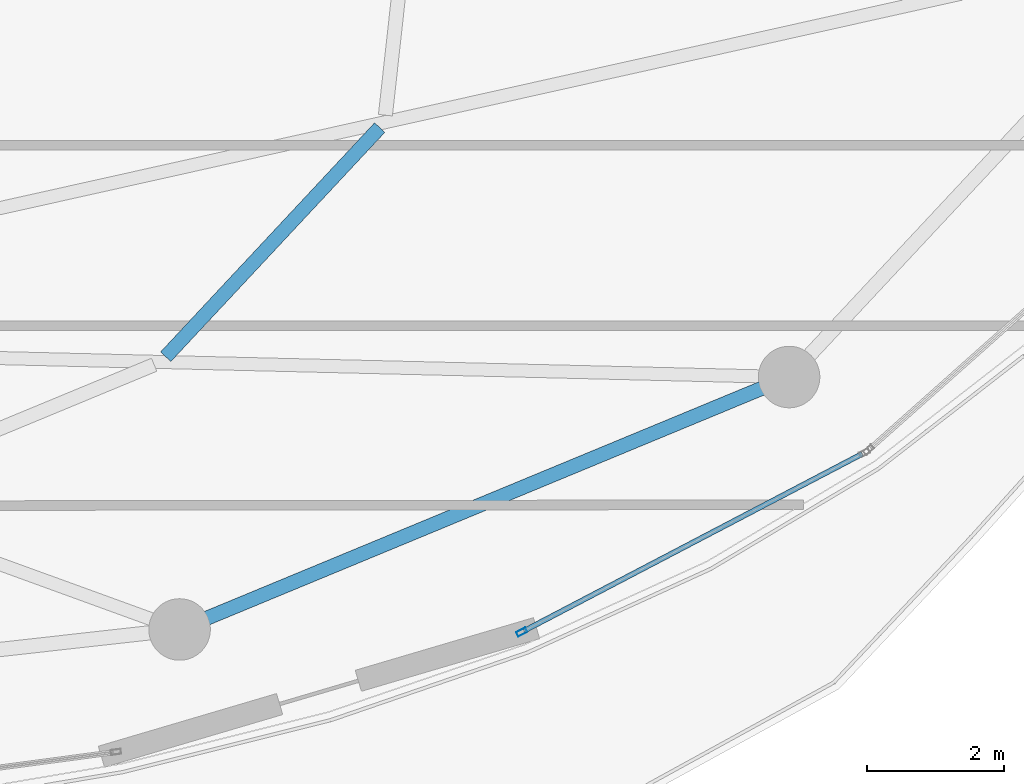
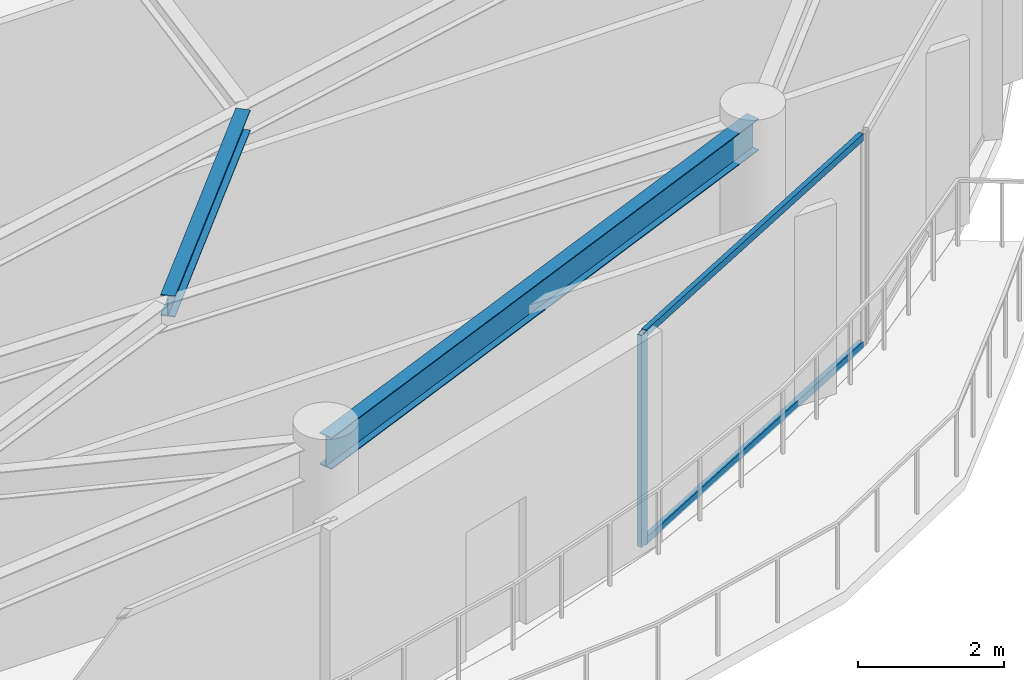
# One storey, part 13 of 29: 3 members, 2 beams, 1 element without a shape of its own.
"""IFC4 building model written with IfcOpenShell, lengths in metres."""

import ifcopenshell
import ifcopenshell.guid

model = None  # the IFC model being written
_history = None  # IfcOwnerHistory: only IFC2X3 demands one
_inside = {}  # id of a spatial element -> (the spatial element, [elements in it])
_under = {}  # id of a project, library or spatial element -> (it, [spatial elements below it])
_declared = {}  # id of a project -> (the project, [libraries it declares])
_typed = {}  # id of a type object -> (the type object, [elements of that type])
_made_of = {}  # id of a material, layer set ... -> (it, [elements and type objects made of it])


def new_model(schema):
    """Start an empty IFC model of exactly this schema.

    Asked for "IFC4X3", IfcOpenShell would pick the latest addendum, in which some entities
    have other attributes; the version numbers below select the first issue.
    IFC2X3 requires an IfcOwnerHistory on every rooted entity: one is made here for all.
    """
    global model, _history
    if schema == "IFC4X3":
        model = ifcopenshell.file(schema_version=(4, 3, 0, 0))
    else:
        model = ifcopenshell.file(schema=schema)
    _inside.clear()
    _under.clear()
    _declared.clear()
    _typed.clear()
    _made_of.clear()
    _history = None
    if model.schema == "IFC2X3":
        org = make("IfcOrganization", Name="unknown")
        user = make(
            "IfcPersonAndOrganization",
            ThePerson=make("IfcPerson", FamilyName="unknown"),
            TheOrganization=org,
        )
        app = make(
            "IfcApplication",
            ApplicationDeveloper=org,
            Version="unknown",
            ApplicationFullName="unknown",
            ApplicationIdentifier="unknown",
        )
        _history = make(
            "IfcOwnerHistory",
            OwningUser=user,
            OwningApplication=app,
            ChangeAction="ADDED",
            CreationDate=0,
        )
    return model


def make(cls, **values):
    """One entity of the class cls with the attributes given. An attribute that is None is left unset."""
    return model.create_entity(
        cls, **{name: value for name, value in values.items() if value is not None}
    )


def rooted(cls, **values):
    """An entity with a GlobalId (a new one), such as an element, a storey or a relation."""
    return make(cls, GlobalId=ifcopenshell.guid.new(), OwnerHistory=_history, **values)


def si_unit(unit_type, name, prefix=None):
    """IfcSIUnit, for example si_unit("LENGTHUNIT", "METRE", prefix="MILLI")."""
    return make("IfcSIUnit", UnitType=unit_type, Prefix=prefix, Name=name)


def assignment(units):
    """IfcUnitAssignment: the units of a project."""
    return None if units is None else make("IfcUnitAssignment", Units=units)


def point(xyz):
    """IfcCartesianPoint."""
    return None if xyz is None else make("IfcCartesianPoint", Coordinates=xyz)


def direction(xyz):
    """IfcDirection."""
    return None if xyz is None else make("IfcDirection", DirectionRatios=xyz)


def frame(location, z_axis=None, x_axis=None):
    """IfcAxis2Placement3D, a coordinate frame: its origin and axes. An axis left out is left unset."""
    return make(
        "IfcAxis2Placement3D",
        Location=point(location),
        Axis=direction(z_axis),
        RefDirection=direction(x_axis),
    )


def frame_2d(location, x_axis=None):
    """IfcAxis2Placement2D, a coordinate frame in the plane: its origin and x axis."""
    return make(
        "IfcAxis2Placement2D", Location=point(location), RefDirection=direction(x_axis)
    )


def origin():
    """The frame at (0, 0, 0) with its axes left unset."""
    return frame((0.0, 0.0, 0.0))


def origin_2d():
    """The frame at (0, 0) in the plane with its x axis left unset."""
    return frame_2d((0.0, 0.0))


def place(relative_to, where):
    """IfcLocalPlacement: puts the frame where relative to a parent placement (None: the world)."""
    return make(
        "IfcLocalPlacement", PlacementRelTo=relative_to, RelativePlacement=where
    )


def context(
    kind, dimensions, precision=None, world=None, true_north=None, identifier=None
):
    """IfcGeometricRepresentationContext, for example the 3D "Model" context."""
    return make(
        "IfcGeometricRepresentationContext",
        ContextIdentifier=identifier,
        ContextType=kind,
        CoordinateSpaceDimension=dimensions,
        Precision=precision,
        WorldCoordinateSystem=world,
        TrueNorth=true_north,
    )


def subcontext(parent, identifier, kind, view, scale=None):
    """IfcGeometricRepresentationSubContext, for example "Body" below "Model"."""
    return make(
        "IfcGeometricRepresentationSubContext",
        ContextIdentifier=identifier,
        ContextType=kind,
        ParentContext=parent,
        TargetScale=scale,
        TargetView=view,
    )


def project(units=None, contexts=None):
    """IfcProject with its units and contexts."""
    return rooted(
        "IfcProject",
        Name="project",
        RepresentationContexts=contexts,
        UnitsInContext=assignment(units),
    )


def spatial(cls, under=None, at=None, **own):
    """A site, building, storey or space (cls), placed at a placement, below another one or the project."""
    s = rooted(cls, ObjectPlacement=at, **own)
    if under is not None:
        _under.setdefault(under.id(), (under, []))[1].append(s)
    return s


def profile(cls, at=None, kind="AREA", **sizes):
    """A parametric profile (cls). Its sizes go by their IFC names, for example OverallWidth=200.0."""
    return make(cls, ProfileType=kind, Position=at, **sizes)


def hollow_rectangle(**sizes):
    """IfcRectangleHollowProfileDef."""
    return profile("IfcRectangleHollowProfileDef", **sizes)


def i_section(**sizes):
    """IfcIShapeProfileDef."""
    return profile("IfcIShapeProfileDef", **sizes)


def extrude(swept, where, along, depth):
    """IfcExtrudedAreaSolid: the profile swept, set in the frame where, extruded along a direction by depth."""
    return make(
        "IfcExtrudedAreaSolid",
        SweptArea=swept,
        Position=where,
        ExtrudedDirection=direction(along),
        Depth=depth,
    )


def shape(context_of_items, identifier, shape_type, items):
    """IfcShapeRepresentation: the items that make up one representation, for example the "Body"."""
    return make(
        "IfcShapeRepresentation",
        ContextOfItems=context_of_items,
        RepresentationIdentifier=identifier,
        RepresentationType=shape_type,
        Items=items,
    )


def material(Name=None, Category=None):
    """IfcMaterial."""
    return make("IfcMaterial", Name=Name, Category=Category)


def layer(
    of_material, thickness, ventilated=None, Name=None, Category=None, Priority=None
):
    """IfcMaterialLayer: one layer of a wall or slab, of a material (None: an air gap)."""
    return make(
        "IfcMaterialLayer",
        Material=of_material,
        LayerThickness=thickness,
        IsVentilated=ventilated,
        Name=Name,
        Category=Category,
        Priority=Priority,
    )


def layer_set(layers, Name=None):
    """IfcMaterialLayerSet."""
    return make("IfcMaterialLayerSet", MaterialLayers=layers, LayerSetName=Name)


def material_profile(
    of_material, cross_section, Name=None, Category=None, Priority=None
):
    """IfcMaterialProfile: a cross section and its material."""
    return make(
        "IfcMaterialProfile",
        Name=Name,
        Material=of_material,
        Profile=cross_section,
        Priority=Priority,
        Category=Category,
    )


def profile_set(profiles, Name=None, composite=None):
    """IfcMaterialProfileSet."""
    return make(
        "IfcMaterialProfileSet",
        Name=Name,
        MaterialProfiles=profiles,
        CompositeProfile=composite,
    )


def made_of(thing, what):
    """Note that an element or type object is made of a material, layer set ...; save() writes the relation."""
    if what is not None:
        _made_of.setdefault(what.id(), (what, []))[1].append(thing)
    return thing


def type_object(cls, material=None, **own):
    """A type object (cls), such as IfcWallType, which elements share."""
    return made_of(rooted(cls, **own), material)


def element(
    cls,
    number,
    at=None,
    inside=None,
    cuts=None,
    type_object=None,
    material=None,
    context=None,
    identifier="Body",
    shape_type=None,
    held_by="IfcProductDefinitionShape",
    body=None,
    shapes=None,
    **own,
):
    """One element of the class cls, such as IfcWall. Its Tag is "e" and its number.

    at: its placement. inside: the storey or other place that contains it. cuts: it is an
    opening in that element (IfcRelVoidsElement). A single representation is given by context,
    identifier, shape_type and body (its items); several are given by shapes. held_by: the class
    of the entity that holds the representations. save() writes the other relations.
    """
    e = rooted(cls, Tag="e%d" % number, ObjectPlacement=at, **own)
    if body is not None:
        shapes = [shape(context, identifier, shape_type, body)]
    if shapes is not None:
        e.Representation = make(held_by, Representations=shapes)
    if inside is not None:
        _inside.setdefault(inside.id(), (inside, []))[1].append(e)
    if cuts is not None:
        rooted(
            "IfcRelVoidsElement", RelatingBuildingElement=cuts, RelatedOpeningElement=e
        )
    if type_object is not None:
        _typed.setdefault(type_object.id(), (type_object, []))[1].append(e)
    return made_of(e, material)


def aggregate(whole, parts):
    """IfcRelAggregates: a whole, such as a stair, and the parts it consists of."""
    return rooted("IfcRelAggregates", RelatingObject=whole, RelatedObjects=parts)


def save(model, path):
    """Write the relations noted so far, then the file.

    IfcRelAggregates (storeys below a building ...), IfcRelContainedInSpatialStructure (elements
    in a storey), IfcRelDefinesByType, IfcRelAssociatesMaterial and IfcRelDeclares: one each for
    every whole, place, type object, material and project.
    """
    for whole, parts in _under.values():
        aggregate(whole, parts)
    for where, things in _inside.values():
        rooted(
            "IfcRelContainedInSpatialStructure",
            RelatedElements=things,
            RelatingStructure=where,
        )
    for kind, things in _typed.values():
        rooted("IfcRelDefinesByType", RelatedObjects=things, RelatingType=kind)
    for what, things in _made_of.values():
        rooted("IfcRelAssociatesMaterial", RelatedObjects=things, RelatingMaterial=what)
    for by, libraries in _declared.values():
        rooted("IfcRelDeclares", RelatingContext=by, RelatedDefinitions=libraries)
    model.write(path)


model = new_model("IFC4")

# Units and contexts
model_context = context("Model", 3, precision=1e-05, world=origin(), true_north=direction((0.0, 1.0)))
body_context = subcontext(model_context, "Body", "Model", "MODEL_VIEW")
ifc_project = project(units=[si_unit("LENGTHUNIT", "METRE"), si_unit("AREAUNIT", "SQUARE_METRE"), si_unit("VOLUMEUNIT", "CUBIC_METRE"), si_unit("PLANEANGLEUNIT", "RADIAN"), si_unit("MASSUNIT", "GRAM", prefix="KILO")], contexts=[model_context])

# Site, building, storey
site_placement = place(None, origin())
site = spatial("IfcSite", under=ifc_project, at=site_placement, CompositionType="ELEMENT")
building_placement = place(site_placement, origin())
building = spatial("IfcBuilding", under=site, at=building_placement, Name="Kazevale Care Tower and Concert Hall", CompositionType="ELEMENT")
storey_placement = place(building_placement, frame((0.0, 0.0, 285.199951171875)))
storey = spatial("IfcBuildingStorey", under=building, at=storey_placement, Name="L75", CompositionType="ELEMENT", Elevation=285.199951171875)

# Curtain wall, members
ifc_material_1 = material(Name="Aluminium 6063-T6 and Low-E Glass", Category="aluminium")
ifc_layer = layer(ifc_material_1, 0.179931640625)
ifc_layer_set = layer_set([ifc_layer], Name="Aluminium 6063-T6 and Low-E Glass")
curtain_wall_type = type_object("IfcCurtainWallType", Name="Sheltered Concave Balcony Curtain Wall CW-5", PredefinedType="NOTDEFINED", material=ifc_layer_set)
curtain_wall_placement = place(storey_placement, origin())
curtain_wall = element("IfcCurtainWall", 1, at=curtain_wall_placement, inside=storey, type_object=curtain_wall_type, Name="cw:L75:f03", PredefinedType="NOTDEFINED")
ifc_material_2 = material(Name="Aluminium 6063-T6", Category="aluminium")
ifc_material_profile_1 = material_profile(ifc_material_2, hollow_rectangle(XDim=0.074951171875, YDim=0.14990234375, WallThickness=0.00390625, at=origin_2d()), Name="ALU75x150x4")
ifc_profile_set_1 = profile_set([ifc_material_profile_1], Name="Aluminium 6063-T6")
member_type_1 = type_object("IfcMemberType", Name="CW-5 Mullion ALU75x150x4", PredefinedType="MULLION", material=ifc_profile_set_1)
member_1_placement = place(storey_placement, frame((60.502197265625, 19.38232421875, 0.0), z_axis=(0.0, 0.0, 1.0), x_axis=(0.463680915912, -0.886002261972, 0.0)))
member_1 = element("IfcMember", 2, at=member_1_placement, type_object=member_type_1, Name="CW-5 mullion 2", PredefinedType="MULLION", context=body_context, shape_type="SweptSolid", body=[
    extrude(hollow_rectangle(XDim=0.074951171875, YDim=0.14990234375, WallThickness=0.00390625, at=origin_2d()), origin(), (0.0, 0.0, 1.0), 3.56005859375),
])
ifc_material_profile_2 = material_profile(ifc_material_2, hollow_rectangle(XDim=0.074951171875, YDim=0.1201171875, WallThickness=0.00390625, at=origin_2d()), Name="ALU75x120x4")
ifc_profile_set_2 = profile_set([ifc_material_profile_2], Name="Aluminium 6063-T6")
member_type_2 = type_object("IfcMemberType", Name="CW-5 Transom ALU75x120x4", PredefinedType="USERDEFINED", material=ifc_profile_set_2)
member_2_placement = place(storey_placement, frame((65.4794921875, 21.9873046875, 0.03759765625), z_axis=(-0.885987336027, -0.463709435314, 0.0), x_axis=(0.463709435314, -0.885987336027, 0.0)))
member_2 = element("IfcMember", 3, at=member_2_placement, type_object=member_type_2, Name="CW-5 transom 1.1", ObjectType="TRANSOM", PredefinedType="USERDEFINED", context=body_context, shape_type="SweptSolid", body=[
    extrude(hollow_rectangle(XDim=0.074951171875, YDim=0.1201171875, WallThickness=0.00390625, at=origin_2d()), origin(), (0.0, 0.0, 1.0), 5.580322265625),
])
member_3_placement = place(storey_placement, frame((65.4794921875, 21.9873046875, 3.5224609375), z_axis=(-0.885987336027, -0.463709435314, 0.0), x_axis=(0.463709435314, -0.885987336027, 0.0)))
member_3 = element("IfcMember", 4, at=member_3_placement, type_object=member_type_2, Name="CW-5 transom 1.2", ObjectType="TRANSOM", PredefinedType="USERDEFINED", context=body_context, shape_type="SweptSolid", body=[
    extrude(hollow_rectangle(XDim=0.074951171875, YDim=0.1201171875, WallThickness=0.00390625, at=origin_2d()), origin(), (0.0, 0.0, 1.0), 5.580322265625),
])
aggregate(curtain_wall, [member_1, member_2, member_3])

# Beams
ifc_material_3 = material(Name="Steel ASTM A572 Gr 50", Category="steel")
ifc_material_profile_3 = material_profile(ifc_material_3, i_section(OverallWidth=0.205078125, OverallDepth=0.35400390625, WebThickness=0.009521484375, FlangeThickness=0.016845703125, at=origin_2d()), Name="W360x79")
ifc_profile_set_3 = profile_set([ifc_material_profile_3], Name="Steel ASTM A572 Gr 50")
beam_type_1 = type_object("IfcBeamType", Name="Secondary Floor Joist W360x79", PredefinedType="JOIST", material=ifc_profile_set_3)
beam_1_placement = place(storey_placement, frame((55.297119140625, 23.406982421875, 3.383056640625), z_axis=(0.682568692562, 0.730821441896, 0.0), x_axis=(-0.730821441896, 0.682568692562, 0.0)))
element("IfcBeam", 5, at=beam_1_placement, inside=storey, type_object=beam_type_1, Name="beam:L75:joist:15", PredefinedType="JOIST", context=body_context, shape_type="SweptSolid", body=[
    extrude(i_section(OverallWidth=0.205078125, OverallDepth=0.35400390625, WebThickness=0.009521484375, FlangeThickness=0.016845703125, at=origin_2d()), origin(), (0.0, 0.0, 1.0), 4.583984375),
])
ifc_material_profile_4 = material_profile(ifc_material_3, i_section(OverallWidth=0.208984375, OverallDepth=0.532958984375, WebThickness=0.01025390625, FlangeThickness=0.015625, at=origin_2d()), Name="W530x92")
ifc_profile_set_4 = profile_set([ifc_material_profile_4], Name="Steel ASTM A572 Gr 50")
beam_type_2 = type_object("IfcBeamType", Name="Upper Ring Beam W530x92", PredefinedType="BEAM", material=ifc_profile_set_4)
beam_2_placement = place(storey_placement, frame((55.5, 19.419921875, 3.29345703125), z_axis=(0.923894961945, 0.382646180293, 0.0), x_axis=(-0.382646180293, 0.923894961945, 0.0)))
element("IfcBeam", 6, at=beam_2_placement, inside=storey, type_object=beam_type_2, Name="beam:L75:ring:14", PredefinedType="BEAM", context=body_context, shape_type="SweptSolid", body=[
    extrude(i_section(OverallWidth=0.208984375, OverallDepth=0.532958984375, WebThickness=0.01025390625, FlangeThickness=0.015625, at=origin_2d()), origin(), (0.0, 0.0, 1.0), 9.643798828125),
])

save(model, "model.ifc")
